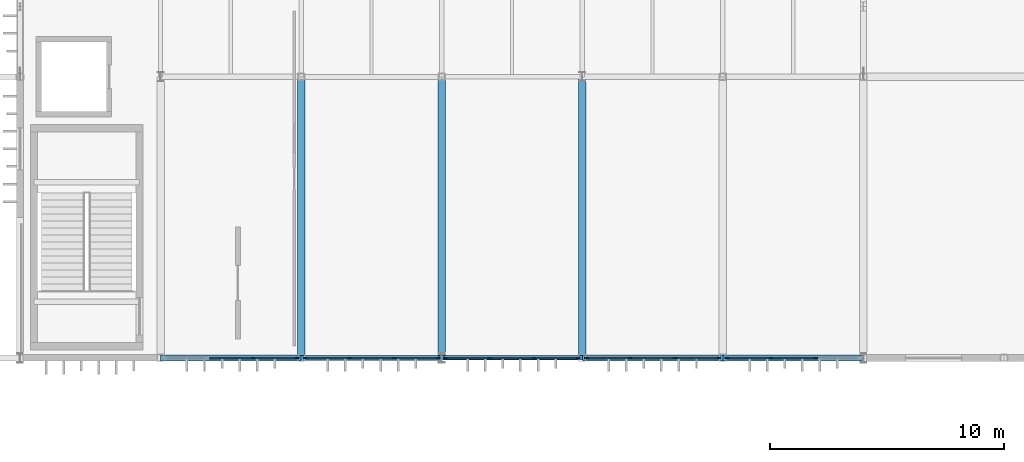
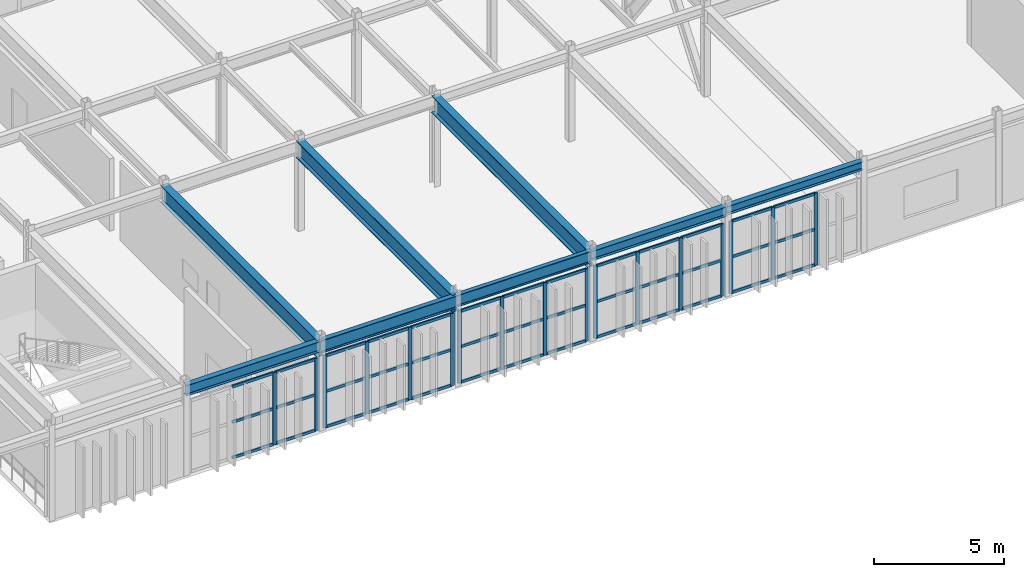
# One storey, part 46 of 96: 56 members, 8 beams, 5 elements without a shape of their own.
"""IFC4 building model written with IfcOpenShell, lengths in metres."""

from ifc_helpers import new_model, si_unit, direction, frame, origin, origin_2d, place, context, subcontext, project, spatial, rectangle, i_section, extrude, material, material_profile, profile_set, type_object, element, aggregate, save


model = new_model("IFC4")

# Units and contexts
model_context = context("Model", 3, precision=1e-05, world=origin(), true_north=direction((0.0, 1.0)))
body_context = subcontext(model_context, "Body", "Model", "MODEL_VIEW")
ifc_project = project(units=[si_unit("LENGTHUNIT", "METRE"), si_unit("AREAUNIT", "SQUARE_METRE"), si_unit("VOLUMEUNIT", "CUBIC_METRE"), si_unit("PLANEANGLEUNIT", "RADIAN"), si_unit("MASSUNIT", "GRAM", prefix="KILO")], contexts=[model_context])

# Site, building, storey
site_placement = place(None, origin())
site = spatial("IfcSite", under=ifc_project, at=site_placement, CompositionType="ELEMENT")
building_placement = place(site_placement, origin())
building = spatial("IfcBuilding", under=site, at=building_placement, Name="Varnakota Square Police Headquarters", CompositionType="ELEMENT")
storey_placement = place(building_placement, frame((0.0, 0.0, 4.800048828125)))
storey = spatial("IfcBuildingStorey", under=building, at=storey_placement, Name="L01", CompositionType="ELEMENT", Elevation=4.800048828125)

# Beams
ifc_material_1 = material(Name="Steel IS 2062 Grade 350", Category="steel")
ifc_material_profile_1 = material_profile(ifc_material_1, i_section(OverallWidth=0.320068359375, OverallDepth=0.800048828125, WebThickness=0.01611328125, FlangeThickness=0.028076171875, at=origin_2d()), Name="BPG 800x320")
ifc_profile_set_1 = profile_set([ifc_material_profile_1], Name="Steel IS 2062 Grade 350")
beam_type_1 = type_object("IfcBeamType", Name="BM-BPG800", PredefinedType="BEAM", material=ifc_profile_set_1)
for number, where, z_axis, x_axis, name in (
    (1, (72.0, 69.0, 3.800048828125), (0.0, 1.0, 0.0), (-1.0, 0.0, 0.0), "BMG-L01-1653"),
    (2, (78.0, 69.0, 3.800048828125), (0.0, 1.0, 0.0), (-1.0, 0.0, 0.0), "BMG-L01-1657"),
    (3, (84.0, 69.0, 3.800048828125), (0.0, 1.0, 0.0), (-1.0, 0.0, 0.0), "BMG-L01-1661"),
):
    element("IfcBeam", number, at=place(storey_placement, frame(where, z_axis=z_axis, x_axis=x_axis)), inside=storey, type_object=beam_type_1, Name=name, PredefinedType="BEAM", context=body_context, shape_type="SweptSolid", body=[
        extrude(i_section(OverallWidth=0.320068359375, OverallDepth=0.800048828125, WebThickness=0.01611328125, FlangeThickness=0.028076171875, at=origin_2d()), origin(), (0.0, 0.0, 1.0), 12.0),
    ])
ifc_material_profile_2 = material_profile(ifc_material_1, i_section(OverallWidth=0.25, OverallDepth=0.39990234375, WebThickness=0.010498046875, FlangeThickness=0.0126953125, FilletRadius=0.013916015625, at=origin_2d()), Name="ISHB 400")
ifc_profile_set_2 = profile_set([ifc_material_profile_2], Name="Steel IS 2062 Grade 350")
beam_type_2 = type_object("IfcBeamType", Name="BM-ISHB400", PredefinedType="BEAM", material=ifc_profile_set_2)
beam_1_placement = place(storey_placement, frame((90.0, 69.0, 4.0), z_axis=(1.0, 0.0, 0.0), x_axis=(0.0, 1.0, 0.0)))
element("IfcBeam", 4, at=beam_1_placement, inside=storey, type_object=beam_type_2, Name="BMG-L01-1431", PredefinedType="BEAM", context=body_context, shape_type="SweptSolid", body=[
    extrude(i_section(OverallWidth=0.25, OverallDepth=0.39990234375, WebThickness=0.010498046875, FlangeThickness=0.0126953125, FilletRadius=0.013916015625, at=origin_2d()), origin(), (0.0, 0.0, 1.0), 6.0),
])
ifc_material_profile_3 = material_profile(ifc_material_1, i_section(OverallWidth=0.25, OverallDepth=0.449951171875, WebThickness=0.01123046875, FlangeThickness=0.013671875, FilletRadius=0.014892578125, at=origin_2d()), Name="ISHB 450")
ifc_profile_set_3 = profile_set([ifc_material_profile_3], Name="Steel IS 2062 Grade 350")
beam_type_3 = type_object("IfcBeamType", Name="BM-ISHB450", PredefinedType="BEAM", material=ifc_profile_set_3)
beam_2_placement = place(storey_placement, frame((84.0, 69.0, 3.974853515625), z_axis=(1.0, 0.0, 0.0), x_axis=(0.0, 1.0, 0.0)))
element("IfcBeam", 5, at=beam_2_placement, inside=storey, type_object=beam_type_3, Name="BMG-L01-1430", PredefinedType="BEAM", context=body_context, shape_type="SweptSolid", body=[
    extrude(i_section(OverallWidth=0.25, OverallDepth=0.449951171875, WebThickness=0.01123046875, FlangeThickness=0.013671875, FilletRadius=0.014892578125, at=origin_2d()), origin(), (0.0, 0.0, 1.0), 6.0),
])
ifc_material_profile_4 = material_profile(ifc_material_1, i_section(OverallWidth=0.18994140625, OverallDepth=0.550048828125, WebThickness=0.01123046875, FlangeThickness=0.019287109375, FilletRadius=0.01806640625, at=origin_2d()), Name="ISMB 550")
ifc_profile_set_4 = profile_set([ifc_material_profile_4], Name="Steel IS 2062 Grade 350")
beam_type_4 = type_object("IfcBeamType", Name="BM-ISMB550", PredefinedType="BEAM", material=ifc_profile_set_4)
beam_3_placement = place(storey_placement, frame((78.0, 69.0, 3.925048828125), z_axis=(1.0, 0.0, 0.0), x_axis=(0.0, 1.0, 0.0)))
element("IfcBeam", 6, at=beam_3_placement, inside=storey, type_object=beam_type_4, Name="BMG-L01-1429", PredefinedType="BEAM", context=body_context, shape_type="SweptSolid", body=[
    extrude(i_section(OverallWidth=0.18994140625, OverallDepth=0.550048828125, WebThickness=0.01123046875, FlangeThickness=0.019287109375, FilletRadius=0.01806640625, at=origin_2d()), origin(), (0.0, 0.0, 1.0), 6.0),
])
ifc_material_profile_5 = material_profile(ifc_material_1, i_section(OverallWidth=0.2099609375, OverallDepth=0.60009765625, WebThickness=0.011962890625, FlangeThickness=0.020751953125, FilletRadius=0.02001953125, at=origin_2d()), Name="ISMB 600")
ifc_profile_set_5 = profile_set([ifc_material_profile_5], Name="Steel IS 2062 Grade 350")
beam_type_5 = type_object("IfcBeamType", Name="BM-ISMB600", PredefinedType="BEAM", material=ifc_profile_set_5)
beam_4_placement = place(storey_placement, frame((72.0, 69.0, 3.89990234375), z_axis=(1.0, 0.0, 0.0), x_axis=(0.0, 1.0, 0.0)))
element("IfcBeam", 7, at=beam_4_placement, inside=storey, type_object=beam_type_5, Name="BMG-L01-1428", PredefinedType="BEAM", context=body_context, shape_type="SweptSolid", body=[
    extrude(i_section(OverallWidth=0.2099609375, OverallDepth=0.60009765625, WebThickness=0.011962890625, FlangeThickness=0.020751953125, FilletRadius=0.02001953125, at=origin_2d()), origin(), (0.0, 0.0, 1.0), 6.0),
])
ifc_material_profile_6 = material_profile(ifc_material_1, i_section(OverallWidth=0.25, OverallDepth=0.5, WebThickness=0.010009765625, FlangeThickness=0.0146484375, FilletRadius=0.014892578125, at=origin_2d()), Name="ISWB 500")
ifc_profile_set_6 = profile_set([ifc_material_profile_6], Name="Steel IS 2062 Grade 350")
beam_type_6 = type_object("IfcBeamType", Name="BM-ISWB500", PredefinedType="BEAM", material=ifc_profile_set_6)
beam_5_placement = place(storey_placement, frame((66.0, 69.0, 3.949951171875), z_axis=(1.0, 0.0, 0.0), x_axis=(0.0, 1.0, 0.0)))
element("IfcBeam", 8, at=beam_5_placement, inside=storey, type_object=beam_type_6, Name="BMG-L01-1427", PredefinedType="BEAM", context=body_context, shape_type="SweptSolid", body=[
    extrude(i_section(OverallWidth=0.25, OverallDepth=0.5, WebThickness=0.010009765625, FlangeThickness=0.0146484375, FilletRadius=0.014892578125, at=origin_2d()), origin(), (0.0, 0.0, 1.0), 6.0),
])

# Curtain wall, members
ifc_material_2 = material(Name="Anodised Aluminium Framing", Category="aluminium")
curtain_wall_type = type_object("IfcCurtainWallType", Name="CW-SYS-B", PredefinedType="NOTDEFINED", material=ifc_material_2)
curtain_wall_1_placement = place(storey_placement, origin())
curtain_wall_1 = element("IfcCurtainWall", 9, at=curtain_wall_1_placement, inside=storey, type_object=curtain_wall_type, Name="Unitised curtain wall CWG-L01-227", PredefinedType="NOTDEFINED")
ifc_material_3 = material(Name="Anodised Aluminium 6063-T6", Category="aluminium")
ifc_material_profile_7 = material_profile(ifc_material_3, rectangle(XDim=0.06494140625, YDim=0.159912109375, at=origin_2d()), Name="ALU MULLION 65x160")
ifc_profile_set_7 = profile_set([ifc_material_profile_7], Name="Anodised Aluminium 6063-T6")
member_type_1 = type_object("IfcMemberType", Name="CWM-150", PredefinedType="MULLION", material=ifc_profile_set_7)
member_1_placement = place(storey_placement, frame((69.9482421875, 69.0, 0.0), z_axis=(0.0, 0.0, 1.0), x_axis=(0.0, 1.0, 0.0)))
member_1 = element("IfcMember", 10, at=member_1_placement, type_object=member_type_1, Name="CWG-L01-227 mullion 3", PredefinedType="MULLION", context=body_context, shape_type="SweptSolid", body=[
    extrude(rectangle(XDim=0.06494140625, YDim=0.159912109375, at=origin_2d()), origin(), (0.0, 0.0, 1.0), 3.389892578125),
])
member_2_placement = place(storey_placement, frame((71.8125, 69.0, 0.0), z_axis=(0.0, 0.0, 1.0), x_axis=(0.0, 1.0, 0.0)))
member_2 = element("IfcMember", 11, at=member_2_placement, type_object=member_type_1, Name="CWG-L01-227 mullion 4", PredefinedType="MULLION", context=body_context, shape_type="SweptSolid", body=[
    extrude(rectangle(XDim=0.06494140625, YDim=0.159912109375, at=origin_2d()), origin(), (0.0, 0.0, 1.0), 3.389892578125),
])

curtain_wall_2_placement = place(storey_placement, origin())
curtain_wall_2 = element("IfcCurtainWall", 12, at=curtain_wall_2_placement, inside=storey, type_object=curtain_wall_type, Name="Unitised curtain wall CWG-L01-228", PredefinedType="NOTDEFINED")
member_3_placement = place(storey_placement, frame((72.1875, 69.0, 0.0), z_axis=(0.0, 0.0, 1.0), x_axis=(0.0, 1.0, 0.0)))
member_3 = element("IfcMember", 13, at=member_3_placement, type_object=member_type_1, Name="CWG-L01-228 mullion 1", PredefinedType="MULLION", context=body_context, shape_type="SweptSolid", body=[
    extrude(rectangle(XDim=0.06494140625, YDim=0.159912109375, at=origin_2d()), origin(), (0.0, 0.0, 1.0), 3.389892578125),
])
member_4_placement = place(storey_placement, frame((74.06005859375, 69.0, 0.0), z_axis=(0.0, 0.0, 1.0), x_axis=(0.0, 1.0, 0.0)))
member_4 = element("IfcMember", 14, at=member_4_placement, type_object=member_type_1, Name="CWG-L01-228 mullion 2", PredefinedType="MULLION", context=body_context, shape_type="SweptSolid", body=[
    extrude(rectangle(XDim=0.06494140625, YDim=0.159912109375, at=origin_2d()), origin(), (0.0, 0.0, 1.0), 3.389892578125),
])
member_5_placement = place(storey_placement, frame((75.965087890625, 69.0, 0.0), z_axis=(0.0, 0.0, 1.0), x_axis=(0.0, 1.0, 0.0)))
member_5 = element("IfcMember", 15, at=member_5_placement, type_object=member_type_1, Name="CWG-L01-228 mullion 3", PredefinedType="MULLION", context=body_context, shape_type="SweptSolid", body=[
    extrude(rectangle(XDim=0.06494140625, YDim=0.159912109375, at=origin_2d()), origin(), (0.0, 0.0, 1.0), 3.389892578125),
])
member_6_placement = place(storey_placement, frame((77.83740234375, 69.0, 0.0), z_axis=(0.0, 0.0, 1.0), x_axis=(0.0, 1.0, 0.0)))
member_6 = element("IfcMember", 16, at=member_6_placement, type_object=member_type_1, Name="CWG-L01-228 mullion 4", PredefinedType="MULLION", context=body_context, shape_type="SweptSolid", body=[
    extrude(rectangle(XDim=0.06494140625, YDim=0.159912109375, at=origin_2d()), origin(), (0.0, 0.0, 1.0), 3.389892578125),
])

curtain_wall_3_placement = place(storey_placement, origin())
curtain_wall_3 = element("IfcCurtainWall", 17, at=curtain_wall_3_placement, inside=storey, type_object=curtain_wall_type, Name="Unitised curtain wall CWG-L01-229", PredefinedType="NOTDEFINED")
member_7_placement = place(storey_placement, frame((78.16259765625, 69.0, 0.0), z_axis=(0.0, 0.0, 1.0), x_axis=(0.0, 1.0, 0.0)))
member_7 = element("IfcMember", 18, at=member_7_placement, type_object=member_type_1, Name="CWG-L01-229 mullion 1", PredefinedType="MULLION", context=body_context, shape_type="SweptSolid", body=[
    extrude(rectangle(XDim=0.06494140625, YDim=0.159912109375, at=origin_2d()), origin(), (0.0, 0.0, 1.0), 3.389892578125),
])
member_8_placement = place(storey_placement, frame((80.034912109375, 69.0, 0.0), z_axis=(0.0, 0.0, 1.0), x_axis=(0.0, 1.0, 0.0)))
member_8 = element("IfcMember", 19, at=member_8_placement, type_object=member_type_1, Name="CWG-L01-229 mullion 2", PredefinedType="MULLION", context=body_context, shape_type="SweptSolid", body=[
    extrude(rectangle(XDim=0.06494140625, YDim=0.159912109375, at=origin_2d()), origin(), (0.0, 0.0, 1.0), 3.389892578125),
])
member_9_placement = place(storey_placement, frame((81.93994140625, 69.0, 0.0), z_axis=(0.0, 0.0, 1.0), x_axis=(0.0, 1.0, 0.0)))
member_9 = element("IfcMember", 20, at=member_9_placement, type_object=member_type_1, Name="CWG-L01-229 mullion 3", PredefinedType="MULLION", context=body_context, shape_type="SweptSolid", body=[
    extrude(rectangle(XDim=0.06494140625, YDim=0.159912109375, at=origin_2d()), origin(), (0.0, 0.0, 1.0), 3.389892578125),
])
member_10_placement = place(storey_placement, frame((83.8125, 69.0, 0.0), z_axis=(0.0, 0.0, 1.0), x_axis=(0.0, 1.0, 0.0)))
member_10 = element("IfcMember", 21, at=member_10_placement, type_object=member_type_1, Name="CWG-L01-229 mullion 4", PredefinedType="MULLION", context=body_context, shape_type="SweptSolid", body=[
    extrude(rectangle(XDim=0.06494140625, YDim=0.159912109375, at=origin_2d()), origin(), (0.0, 0.0, 1.0), 3.389892578125),
])

curtain_wall_4_placement = place(storey_placement, origin())
curtain_wall_4 = element("IfcCurtainWall", 22, at=curtain_wall_4_placement, inside=storey, type_object=curtain_wall_type, Name="Unitised curtain wall CWG-L01-230", PredefinedType="NOTDEFINED")
member_11_placement = place(storey_placement, frame((84.1875, 69.0, 0.0), z_axis=(0.0, 0.0, 1.0), x_axis=(0.0, 1.0, 0.0)))
member_11 = element("IfcMember", 23, at=member_11_placement, type_object=member_type_1, Name="CWG-L01-230 mullion 1", PredefinedType="MULLION", context=body_context, shape_type="SweptSolid", body=[
    extrude(rectangle(XDim=0.06494140625, YDim=0.159912109375, at=origin_2d()), origin(), (0.0, 0.0, 1.0), 3.389892578125),
])
member_12_placement = place(storey_placement, frame((86.0517578125, 69.0, 0.0), z_axis=(0.0, 0.0, 1.0), x_axis=(0.0, 1.0, 0.0)))
member_12 = element("IfcMember", 24, at=member_12_placement, type_object=member_type_1, Name="CWG-L01-230 mullion 2", PredefinedType="MULLION", context=body_context, shape_type="SweptSolid", body=[
    extrude(rectangle(XDim=0.06494140625, YDim=0.159912109375, at=origin_2d()), origin(), (0.0, 0.0, 1.0), 3.389892578125),
])
member_13_placement = place(storey_placement, frame((87.9482421875, 69.0, 0.0), z_axis=(0.0, 0.0, 1.0), x_axis=(0.0, 1.0, 0.0)))
member_13 = element("IfcMember", 25, at=member_13_placement, type_object=member_type_1, Name="CWG-L01-230 mullion 3", PredefinedType="MULLION", context=body_context, shape_type="SweptSolid", body=[
    extrude(rectangle(XDim=0.06494140625, YDim=0.159912109375, at=origin_2d()), origin(), (0.0, 0.0, 1.0), 3.389892578125),
])
member_14_placement = place(storey_placement, frame((89.8125, 69.0, 0.0), z_axis=(0.0, 0.0, 1.0), x_axis=(0.0, 1.0, 0.0)))
member_14 = element("IfcMember", 26, at=member_14_placement, type_object=member_type_1, Name="CWG-L01-230 mullion 4", PredefinedType="MULLION", context=body_context, shape_type="SweptSolid", body=[
    extrude(rectangle(XDim=0.06494140625, YDim=0.159912109375, at=origin_2d()), origin(), (0.0, 0.0, 1.0), 3.389892578125),
])

curtain_wall_5_placement = place(storey_placement, origin())
curtain_wall_5 = element("IfcCurtainWall", 27, at=curtain_wall_5_placement, inside=storey, type_object=curtain_wall_type, Name="Unitised curtain wall CWG-L01-231", PredefinedType="NOTDEFINED")
member_15_placement = place(storey_placement, frame((90.1875, 69.0, 0.0), z_axis=(0.0, 0.0, 1.0), x_axis=(0.0, 1.0, 0.0)))
member_15 = element("IfcMember", 28, at=member_15_placement, type_object=member_type_1, Name="CWG-L01-231 mullion 1", PredefinedType="MULLION", context=body_context, shape_type="SweptSolid", body=[
    extrude(rectangle(XDim=0.06494140625, YDim=0.159912109375, at=origin_2d()), origin(), (0.0, 0.0, 1.0), 3.389892578125),
])
member_16_placement = place(storey_placement, frame((92.06005859375, 69.0, 0.0), z_axis=(0.0, 0.0, 1.0), x_axis=(0.0, 1.0, 0.0)))
member_16 = element("IfcMember", 29, at=member_16_placement, type_object=member_type_1, Name="CWG-L01-231 mullion 2", PredefinedType="MULLION", context=body_context, shape_type="SweptSolid", body=[
    extrude(rectangle(XDim=0.06494140625, YDim=0.159912109375, at=origin_2d()), origin(), (0.0, 0.0, 1.0), 3.389892578125),
])
member_17_placement = place(storey_placement, frame((93.965087890625, 69.0, 0.0), z_axis=(0.0, 0.0, 1.0), x_axis=(0.0, 1.0, 0.0)))
member_17 = element("IfcMember", 30, at=member_17_placement, type_object=member_type_1, Name="CWG-L01-231 mullion 3", PredefinedType="MULLION", context=body_context, shape_type="SweptSolid", body=[
    extrude(rectangle(XDim=0.06494140625, YDim=0.159912109375, at=origin_2d()), origin(), (0.0, 0.0, 1.0), 3.389892578125),
])

# Member
ifc_material_profile_8 = material_profile(ifc_material_3, rectangle(XDim=0.06494140625, YDim=0.1298828125, at=origin_2d()), Name="ALU TRANSOM 65x130")
ifc_profile_set_8 = profile_set([ifc_material_profile_8], Name="Anodised Aluminium 6063-T6")
member_type_2 = type_object("IfcMemberType", Name="CWT-120", PredefinedType="USERDEFINED", material=ifc_profile_set_8)
member_18_placement = place(storey_placement, frame((68.084228515625, 69.0, 0.032470703125), z_axis=(1.0, 0.0, 0.0), x_axis=(0.0, 1.0, 0.0)))
member_18 = element("IfcMember", 31, at=member_18_placement, type_object=member_type_2, Name="CWG-L01-227 transom 2.1", ObjectType="TRANSOM", PredefinedType="USERDEFINED", context=body_context, shape_type="SweptSolid", body=[
    extrude(rectangle(XDim=0.06494140625, YDim=0.1298828125, at=origin_2d()), origin(), (0.0, 0.0, 1.0), 1.83154296875),
])

member_19_placement = place(storey_placement, frame((68.084228515625, 69.0, 1.695068359375), z_axis=(1.0, 0.0, 0.0), x_axis=(0.0, 1.0, 0.0)))
member_19 = element("IfcMember", 32, at=member_19_placement, type_object=member_type_2, Name="CWG-L01-227 transom 2.2", ObjectType="TRANSOM", PredefinedType="USERDEFINED", context=body_context, shape_type="SweptSolid", body=[
    extrude(rectangle(XDim=0.06494140625, YDim=0.1298828125, at=origin_2d()), origin(), (0.0, 0.0, 1.0), 1.83154296875),
])

member_20_placement = place(storey_placement, frame((68.084228515625, 69.0, 3.357421875), z_axis=(1.0, 0.0, 0.0), x_axis=(0.0, 1.0, 0.0)))
member_20 = element("IfcMember", 33, at=member_20_placement, type_object=member_type_2, Name="CWG-L01-227 transom 2.3", ObjectType="TRANSOM", PredefinedType="USERDEFINED", context=body_context, shape_type="SweptSolid", body=[
    extrude(rectangle(XDim=0.06494140625, YDim=0.1298828125, at=origin_2d()), origin(), (0.0, 0.0, 1.0), 1.83154296875),
])

member_21_placement = place(storey_placement, frame((69.980712890625, 69.0, 0.032470703125), z_axis=(1.0, 0.0, 0.0), x_axis=(0.0, 1.0, 0.0)))
member_21 = element("IfcMember", 34, at=member_21_placement, type_object=member_type_2, Name="CWG-L01-227 transom 3.1", ObjectType="TRANSOM", PredefinedType="USERDEFINED", context=body_context, shape_type="SweptSolid", body=[
    extrude(rectangle(XDim=0.06494140625, YDim=0.1298828125, at=origin_2d()), origin(), (0.0, 0.0, 1.0), 1.79931640625),
])

member_22_placement = place(storey_placement, frame((69.980712890625, 69.0, 1.695068359375), z_axis=(1.0, 0.0, 0.0), x_axis=(0.0, 1.0, 0.0)))
member_22 = element("IfcMember", 35, at=member_22_placement, type_object=member_type_2, Name="CWG-L01-227 transom 3.2", ObjectType="TRANSOM", PredefinedType="USERDEFINED", context=body_context, shape_type="SweptSolid", body=[
    extrude(rectangle(XDim=0.06494140625, YDim=0.1298828125, at=origin_2d()), origin(), (0.0, 0.0, 1.0), 1.79931640625),
])

member_23_placement = place(storey_placement, frame((69.980712890625, 69.0, 3.357421875), z_axis=(1.0, 0.0, 0.0), x_axis=(0.0, 1.0, 0.0)))
member_23 = element("IfcMember", 36, at=member_23_placement, type_object=member_type_2, Name="CWG-L01-227 transom 3.3", ObjectType="TRANSOM", PredefinedType="USERDEFINED", context=body_context, shape_type="SweptSolid", body=[
    extrude(rectangle(XDim=0.06494140625, YDim=0.1298828125, at=origin_2d()), origin(), (0.0, 0.0, 1.0), 1.79931640625),
])

aggregate(curtain_wall_1, [member_1, member_2, member_18, member_19, member_20, member_21, member_22, member_23])

member_24_placement = place(storey_placement, frame((72.219970703125, 69.0, 0.032470703125), z_axis=(1.0, 0.0, 0.0), x_axis=(0.0, 1.0, 0.0)))
member_24 = element("IfcMember", 37, at=member_24_placement, type_object=member_type_2, Name="CWG-L01-228 transom 1.1", ObjectType="TRANSOM", PredefinedType="USERDEFINED", context=body_context, shape_type="SweptSolid", body=[
    extrude(rectangle(XDim=0.06494140625, YDim=0.1298828125, at=origin_2d()), origin(), (0.0, 0.0, 1.0), 1.8076171875),
])

member_25_placement = place(storey_placement, frame((72.219970703125, 69.0, 1.695068359375), z_axis=(1.0, 0.0, 0.0), x_axis=(0.0, 1.0, 0.0)))
member_25 = element("IfcMember", 38, at=member_25_placement, type_object=member_type_2, Name="CWG-L01-228 transom 1.2", ObjectType="TRANSOM", PredefinedType="USERDEFINED", context=body_context, shape_type="SweptSolid", body=[
    extrude(rectangle(XDim=0.06494140625, YDim=0.1298828125, at=origin_2d()), origin(), (0.0, 0.0, 1.0), 1.8076171875),
])

member_26_placement = place(storey_placement, frame((72.219970703125, 69.0, 3.357421875), z_axis=(1.0, 0.0, 0.0), x_axis=(0.0, 1.0, 0.0)))
member_26 = element("IfcMember", 39, at=member_26_placement, type_object=member_type_2, Name="CWG-L01-228 transom 1.3", ObjectType="TRANSOM", PredefinedType="USERDEFINED", context=body_context, shape_type="SweptSolid", body=[
    extrude(rectangle(XDim=0.06494140625, YDim=0.1298828125, at=origin_2d()), origin(), (0.0, 0.0, 1.0), 1.8076171875),
])

member_27_placement = place(storey_placement, frame((74.092529296875, 69.0, 0.032470703125), z_axis=(1.0, 0.0, 0.0), x_axis=(0.0, 1.0, 0.0)))
member_27 = element("IfcMember", 40, at=member_27_placement, type_object=member_type_2, Name="CWG-L01-228 transom 2.1", ObjectType="TRANSOM", PredefinedType="USERDEFINED", context=body_context, shape_type="SweptSolid", body=[
    extrude(rectangle(XDim=0.06494140625, YDim=0.1298828125, at=origin_2d()), origin(), (0.0, 0.0, 1.0), 1.840087890625),
])

member_28_placement = place(storey_placement, frame((74.092529296875, 69.0, 1.695068359375), z_axis=(1.0, 0.0, 0.0), x_axis=(0.0, 1.0, 0.0)))
member_28 = element("IfcMember", 41, at=member_28_placement, type_object=member_type_2, Name="CWG-L01-228 transom 2.2", ObjectType="TRANSOM", PredefinedType="USERDEFINED", context=body_context, shape_type="SweptSolid", body=[
    extrude(rectangle(XDim=0.06494140625, YDim=0.1298828125, at=origin_2d()), origin(), (0.0, 0.0, 1.0), 1.840087890625),
])

member_29_placement = place(storey_placement, frame((74.092529296875, 69.0, 3.357421875), z_axis=(1.0, 0.0, 0.0), x_axis=(0.0, 1.0, 0.0)))
member_29 = element("IfcMember", 42, at=member_29_placement, type_object=member_type_2, Name="CWG-L01-228 transom 2.3", ObjectType="TRANSOM", PredefinedType="USERDEFINED", context=body_context, shape_type="SweptSolid", body=[
    extrude(rectangle(XDim=0.06494140625, YDim=0.1298828125, at=origin_2d()), origin(), (0.0, 0.0, 1.0), 1.840087890625),
])

member_30_placement = place(storey_placement, frame((75.99755859375, 69.0, 0.032470703125), z_axis=(1.0, 0.0, 0.0), x_axis=(0.0, 1.0, 0.0)))
member_30 = element("IfcMember", 43, at=member_30_placement, type_object=member_type_2, Name="CWG-L01-228 transom 3.1", ObjectType="TRANSOM", PredefinedType="USERDEFINED", context=body_context, shape_type="SweptSolid", body=[
    extrude(rectangle(XDim=0.06494140625, YDim=0.1298828125, at=origin_2d()), origin(), (0.0, 0.0, 1.0), 1.807373046875),
])

member_31_placement = place(storey_placement, frame((75.99755859375, 69.0, 1.695068359375), z_axis=(1.0, 0.0, 0.0), x_axis=(0.0, 1.0, 0.0)))
member_31 = element("IfcMember", 44, at=member_31_placement, type_object=member_type_2, Name="CWG-L01-228 transom 3.2", ObjectType="TRANSOM", PredefinedType="USERDEFINED", context=body_context, shape_type="SweptSolid", body=[
    extrude(rectangle(XDim=0.06494140625, YDim=0.1298828125, at=origin_2d()), origin(), (0.0, 0.0, 1.0), 1.807373046875),
])

member_32_placement = place(storey_placement, frame((75.99755859375, 69.0, 3.357421875), z_axis=(1.0, 0.0, 0.0), x_axis=(0.0, 1.0, 0.0)))
member_32 = element("IfcMember", 45, at=member_32_placement, type_object=member_type_2, Name="CWG-L01-228 transom 3.3", ObjectType="TRANSOM", PredefinedType="USERDEFINED", context=body_context, shape_type="SweptSolid", body=[
    extrude(rectangle(XDim=0.06494140625, YDim=0.1298828125, at=origin_2d()), origin(), (0.0, 0.0, 1.0), 1.807373046875),
])

aggregate(curtain_wall_2, [member_3, member_4, member_5, member_6, member_24, member_25, member_26, member_27, member_28, member_29, member_30, member_31, member_32])

member_33_placement = place(storey_placement, frame((78.195068359375, 69.0, 0.032470703125), z_axis=(1.0, 0.0, 0.0), x_axis=(0.0, 1.0, 0.0)))
member_33 = element("IfcMember", 46, at=member_33_placement, type_object=member_type_2, Name="CWG-L01-229 transom 1.1", ObjectType="TRANSOM", PredefinedType="USERDEFINED", context=body_context, shape_type="SweptSolid", body=[
    extrude(rectangle(XDim=0.06494140625, YDim=0.1298828125, at=origin_2d()), origin(), (0.0, 0.0, 1.0), 1.807373046875),
])

member_34_placement = place(storey_placement, frame((78.195068359375, 69.0, 1.695068359375), z_axis=(1.0, 0.0, 0.0), x_axis=(0.0, 1.0, 0.0)))
member_34 = element("IfcMember", 47, at=member_34_placement, type_object=member_type_2, Name="CWG-L01-229 transom 1.2", ObjectType="TRANSOM", PredefinedType="USERDEFINED", context=body_context, shape_type="SweptSolid", body=[
    extrude(rectangle(XDim=0.06494140625, YDim=0.1298828125, at=origin_2d()), origin(), (0.0, 0.0, 1.0), 1.807373046875),
])

member_35_placement = place(storey_placement, frame((78.195068359375, 69.0, 3.357421875), z_axis=(1.0, 0.0, 0.0), x_axis=(0.0, 1.0, 0.0)))
member_35 = element("IfcMember", 48, at=member_35_placement, type_object=member_type_2, Name="CWG-L01-229 transom 1.3", ObjectType="TRANSOM", PredefinedType="USERDEFINED", context=body_context, shape_type="SweptSolid", body=[
    extrude(rectangle(XDim=0.06494140625, YDim=0.1298828125, at=origin_2d()), origin(), (0.0, 0.0, 1.0), 1.807373046875),
])

member_36_placement = place(storey_placement, frame((80.0673828125, 69.0, 0.032470703125), z_axis=(1.0, 0.0, 0.0), x_axis=(0.0, 1.0, 0.0)))
member_36 = element("IfcMember", 49, at=member_36_placement, type_object=member_type_2, Name="CWG-L01-229 transom 2.1", ObjectType="TRANSOM", PredefinedType="USERDEFINED", context=body_context, shape_type="SweptSolid", body=[
    extrude(rectangle(XDim=0.06494140625, YDim=0.1298828125, at=origin_2d()), origin(), (0.0, 0.0, 1.0), 1.840087890625),
])

member_37_placement = place(storey_placement, frame((80.0673828125, 69.0, 1.695068359375), z_axis=(1.0, 0.0, 0.0), x_axis=(0.0, 1.0, 0.0)))
member_37 = element("IfcMember", 50, at=member_37_placement, type_object=member_type_2, Name="CWG-L01-229 transom 2.2", ObjectType="TRANSOM", PredefinedType="USERDEFINED", context=body_context, shape_type="SweptSolid", body=[
    extrude(rectangle(XDim=0.06494140625, YDim=0.1298828125, at=origin_2d()), origin(), (0.0, 0.0, 1.0), 1.840087890625),
])

member_38_placement = place(storey_placement, frame((80.0673828125, 69.0, 3.357421875), z_axis=(1.0, 0.0, 0.0), x_axis=(0.0, 1.0, 0.0)))
member_38 = element("IfcMember", 51, at=member_38_placement, type_object=member_type_2, Name="CWG-L01-229 transom 2.3", ObjectType="TRANSOM", PredefinedType="USERDEFINED", context=body_context, shape_type="SweptSolid", body=[
    extrude(rectangle(XDim=0.06494140625, YDim=0.1298828125, at=origin_2d()), origin(), (0.0, 0.0, 1.0), 1.840087890625),
])

member_39_placement = place(storey_placement, frame((81.972412109375, 69.0, 0.032470703125), z_axis=(1.0, 0.0, 0.0), x_axis=(0.0, 1.0, 0.0)))
member_39 = element("IfcMember", 52, at=member_39_placement, type_object=member_type_2, Name="CWG-L01-229 transom 3.1", ObjectType="TRANSOM", PredefinedType="USERDEFINED", context=body_context, shape_type="SweptSolid", body=[
    extrude(rectangle(XDim=0.06494140625, YDim=0.1298828125, at=origin_2d()), origin(), (0.0, 0.0, 1.0), 1.8076171875),
])

member_40_placement = place(storey_placement, frame((81.972412109375, 69.0, 1.695068359375), z_axis=(1.0, 0.0, 0.0), x_axis=(0.0, 1.0, 0.0)))
member_40 = element("IfcMember", 53, at=member_40_placement, type_object=member_type_2, Name="CWG-L01-229 transom 3.2", ObjectType="TRANSOM", PredefinedType="USERDEFINED", context=body_context, shape_type="SweptSolid", body=[
    extrude(rectangle(XDim=0.06494140625, YDim=0.1298828125, at=origin_2d()), origin(), (0.0, 0.0, 1.0), 1.8076171875),
])

member_41_placement = place(storey_placement, frame((81.972412109375, 69.0, 3.357421875), z_axis=(1.0, 0.0, 0.0), x_axis=(0.0, 1.0, 0.0)))
member_41 = element("IfcMember", 54, at=member_41_placement, type_object=member_type_2, Name="CWG-L01-229 transom 3.3", ObjectType="TRANSOM", PredefinedType="USERDEFINED", context=body_context, shape_type="SweptSolid", body=[
    extrude(rectangle(XDim=0.06494140625, YDim=0.1298828125, at=origin_2d()), origin(), (0.0, 0.0, 1.0), 1.8076171875),
])

aggregate(curtain_wall_3, [member_7, member_8, member_9, member_10, member_33, member_34, member_35, member_36, member_37, member_38, member_39, member_40, member_41])

member_42_placement = place(storey_placement, frame((84.219970703125, 69.0, 0.032470703125), z_axis=(1.0, 0.0, 0.0), x_axis=(0.0, 1.0, 0.0)))
member_42 = element("IfcMember", 55, at=member_42_placement, type_object=member_type_2, Name="CWG-L01-230 transom 1.1", ObjectType="TRANSOM", PredefinedType="USERDEFINED", context=body_context, shape_type="SweptSolid", body=[
    extrude(rectangle(XDim=0.06494140625, YDim=0.1298828125, at=origin_2d()), origin(), (0.0, 0.0, 1.0), 1.79931640625),
])

member_43_placement = place(storey_placement, frame((84.219970703125, 69.0, 1.695068359375), z_axis=(1.0, 0.0, 0.0), x_axis=(0.0, 1.0, 0.0)))
member_43 = element("IfcMember", 56, at=member_43_placement, type_object=member_type_2, Name="CWG-L01-230 transom 1.2", ObjectType="TRANSOM", PredefinedType="USERDEFINED", context=body_context, shape_type="SweptSolid", body=[
    extrude(rectangle(XDim=0.06494140625, YDim=0.1298828125, at=origin_2d()), origin(), (0.0, 0.0, 1.0), 1.79931640625),
])

member_44_placement = place(storey_placement, frame((84.219970703125, 69.0, 3.357421875), z_axis=(1.0, 0.0, 0.0), x_axis=(0.0, 1.0, 0.0)))
member_44 = element("IfcMember", 57, at=member_44_placement, type_object=member_type_2, Name="CWG-L01-230 transom 1.3", ObjectType="TRANSOM", PredefinedType="USERDEFINED", context=body_context, shape_type="SweptSolid", body=[
    extrude(rectangle(XDim=0.06494140625, YDim=0.1298828125, at=origin_2d()), origin(), (0.0, 0.0, 1.0), 1.79931640625),
])

member_45_placement = place(storey_placement, frame((86.084228515625, 69.0, 0.032470703125), z_axis=(1.0, 0.0, 0.0), x_axis=(0.0, 1.0, 0.0)))
member_45 = element("IfcMember", 58, at=member_45_placement, type_object=member_type_2, Name="CWG-L01-230 transom 2.1", ObjectType="TRANSOM", PredefinedType="USERDEFINED", context=body_context, shape_type="SweptSolid", body=[
    extrude(rectangle(XDim=0.06494140625, YDim=0.1298828125, at=origin_2d()), origin(), (0.0, 0.0, 1.0), 1.83154296875),
])

member_46_placement = place(storey_placement, frame((86.084228515625, 69.0, 1.695068359375), z_axis=(1.0, 0.0, 0.0), x_axis=(0.0, 1.0, 0.0)))
member_46 = element("IfcMember", 59, at=member_46_placement, type_object=member_type_2, Name="CWG-L01-230 transom 2.2", ObjectType="TRANSOM", PredefinedType="USERDEFINED", context=body_context, shape_type="SweptSolid", body=[
    extrude(rectangle(XDim=0.06494140625, YDim=0.1298828125, at=origin_2d()), origin(), (0.0, 0.0, 1.0), 1.83154296875),
])

member_47_placement = place(storey_placement, frame((86.084228515625, 69.0, 3.357421875), z_axis=(1.0, 0.0, 0.0), x_axis=(0.0, 1.0, 0.0)))
member_47 = element("IfcMember", 60, at=member_47_placement, type_object=member_type_2, Name="CWG-L01-230 transom 2.3", ObjectType="TRANSOM", PredefinedType="USERDEFINED", context=body_context, shape_type="SweptSolid", body=[
    extrude(rectangle(XDim=0.06494140625, YDim=0.1298828125, at=origin_2d()), origin(), (0.0, 0.0, 1.0), 1.83154296875),
])

member_48_placement = place(storey_placement, frame((87.980712890625, 69.0, 0.032470703125), z_axis=(1.0, 0.0, 0.0), x_axis=(0.0, 1.0, 0.0)))
member_48 = element("IfcMember", 61, at=member_48_placement, type_object=member_type_2, Name="CWG-L01-230 transom 3.1", ObjectType="TRANSOM", PredefinedType="USERDEFINED", context=body_context, shape_type="SweptSolid", body=[
    extrude(rectangle(XDim=0.06494140625, YDim=0.1298828125, at=origin_2d()), origin(), (0.0, 0.0, 1.0), 1.79931640625),
])

member_49_placement = place(storey_placement, frame((87.980712890625, 69.0, 1.695068359375), z_axis=(1.0, 0.0, 0.0), x_axis=(0.0, 1.0, 0.0)))
member_49 = element("IfcMember", 62, at=member_49_placement, type_object=member_type_2, Name="CWG-L01-230 transom 3.2", ObjectType="TRANSOM", PredefinedType="USERDEFINED", context=body_context, shape_type="SweptSolid", body=[
    extrude(rectangle(XDim=0.06494140625, YDim=0.1298828125, at=origin_2d()), origin(), (0.0, 0.0, 1.0), 1.79931640625),
])

member_50_placement = place(storey_placement, frame((87.980712890625, 69.0, 3.357421875), z_axis=(1.0, 0.0, 0.0), x_axis=(0.0, 1.0, 0.0)))
member_50 = element("IfcMember", 63, at=member_50_placement, type_object=member_type_2, Name="CWG-L01-230 transom 3.3", ObjectType="TRANSOM", PredefinedType="USERDEFINED", context=body_context, shape_type="SweptSolid", body=[
    extrude(rectangle(XDim=0.06494140625, YDim=0.1298828125, at=origin_2d()), origin(), (0.0, 0.0, 1.0), 1.79931640625),
])

aggregate(curtain_wall_4, [member_11, member_12, member_13, member_14, member_42, member_43, member_44, member_45, member_46, member_47, member_48, member_49, member_50])

member_51_placement = place(storey_placement, frame((90.219970703125, 69.0, 0.032470703125), z_axis=(1.0, 0.0, 0.0), x_axis=(0.0, 1.0, 0.0)))
member_51 = element("IfcMember", 64, at=member_51_placement, type_object=member_type_2, Name="CWG-L01-231 transom 1.1", ObjectType="TRANSOM", PredefinedType="USERDEFINED", context=body_context, shape_type="SweptSolid", body=[
    extrude(rectangle(XDim=0.06494140625, YDim=0.1298828125, at=origin_2d()), origin(), (0.0, 0.0, 1.0), 1.8076171875),
])

member_52_placement = place(storey_placement, frame((90.219970703125, 69.0, 1.695068359375), z_axis=(1.0, 0.0, 0.0), x_axis=(0.0, 1.0, 0.0)))
member_52 = element("IfcMember", 65, at=member_52_placement, type_object=member_type_2, Name="CWG-L01-231 transom 1.2", ObjectType="TRANSOM", PredefinedType="USERDEFINED", context=body_context, shape_type="SweptSolid", body=[
    extrude(rectangle(XDim=0.06494140625, YDim=0.1298828125, at=origin_2d()), origin(), (0.0, 0.0, 1.0), 1.8076171875),
])

member_53_placement = place(storey_placement, frame((90.219970703125, 69.0, 3.357421875), z_axis=(1.0, 0.0, 0.0), x_axis=(0.0, 1.0, 0.0)))
member_53 = element("IfcMember", 66, at=member_53_placement, type_object=member_type_2, Name="CWG-L01-231 transom 1.3", ObjectType="TRANSOM", PredefinedType="USERDEFINED", context=body_context, shape_type="SweptSolid", body=[
    extrude(rectangle(XDim=0.06494140625, YDim=0.1298828125, at=origin_2d()), origin(), (0.0, 0.0, 1.0), 1.8076171875),
])

member_54_placement = place(storey_placement, frame((92.092529296875, 69.0, 0.032470703125), z_axis=(1.0, 0.0, 0.0), x_axis=(0.0, 1.0, 0.0)))
member_54 = element("IfcMember", 67, at=member_54_placement, type_object=member_type_2, Name="CWG-L01-231 transom 2.1", ObjectType="TRANSOM", PredefinedType="USERDEFINED", context=body_context, shape_type="SweptSolid", body=[
    extrude(rectangle(XDim=0.06494140625, YDim=0.1298828125, at=origin_2d()), origin(), (0.0, 0.0, 1.0), 1.840087890625),
])

member_55_placement = place(storey_placement, frame((92.092529296875, 69.0, 1.695068359375), z_axis=(1.0, 0.0, 0.0), x_axis=(0.0, 1.0, 0.0)))
member_55 = element("IfcMember", 68, at=member_55_placement, type_object=member_type_2, Name="CWG-L01-231 transom 2.2", ObjectType="TRANSOM", PredefinedType="USERDEFINED", context=body_context, shape_type="SweptSolid", body=[
    extrude(rectangle(XDim=0.06494140625, YDim=0.1298828125, at=origin_2d()), origin(), (0.0, 0.0, 1.0), 1.840087890625),
])

member_56_placement = place(storey_placement, frame((92.092529296875, 69.0, 3.357421875), z_axis=(1.0, 0.0, 0.0), x_axis=(0.0, 1.0, 0.0)))
member_56 = element("IfcMember", 69, at=member_56_placement, type_object=member_type_2, Name="CWG-L01-231 transom 2.3", ObjectType="TRANSOM", PredefinedType="USERDEFINED", context=body_context, shape_type="SweptSolid", body=[
    extrude(rectangle(XDim=0.06494140625, YDim=0.1298828125, at=origin_2d()), origin(), (0.0, 0.0, 1.0), 1.840087890625),
])

aggregate(curtain_wall_5, [member_15, member_16, member_17, member_51, member_52, member_53, member_54, member_55, member_56])

save(model, "model.ifc")
